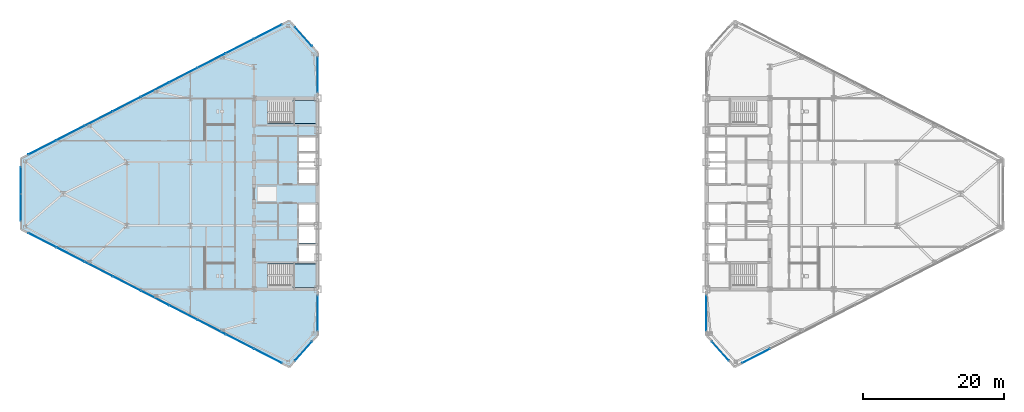
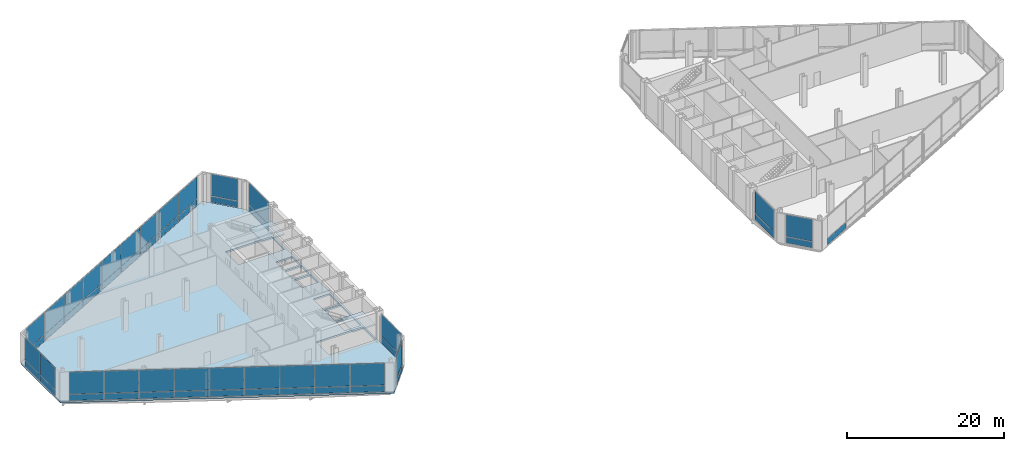
# One storey, part 14 of 22: 53 plates, 3 slabs, 12 elements without a shape of their own.
"""IFC4 building model written with IfcOpenShell, lengths in metres."""

from ifc_helpers import new_model, si_unit, direction, frame, origin, origin_2d, place, context, subcontext, project, spatial, polyline, rectangle, outline, extrude, source, transform, mapped, material, layer, layer_set, type_object, type_shapes, element, aggregate, save


model = new_model("IFC4")

# Units and contexts
model_context = context("Model", 3, precision=1e-05, world=origin(), true_north=direction((0.0, 1.0)))
body_context = subcontext(model_context, "Body", "Model", "MODEL_VIEW")
ifc_project = project(units=[si_unit("LENGTHUNIT", "METRE"), si_unit("AREAUNIT", "SQUARE_METRE"), si_unit("VOLUMEUNIT", "CUBIC_METRE"), si_unit("PLANEANGLEUNIT", "RADIAN"), si_unit("MASSUNIT", "GRAM", prefix="KILO")], contexts=[model_context])

# Site, building, storey
site_placement = place(None, origin())
site = spatial("IfcSite", under=ifc_project, at=site_placement, CompositionType="ELEMENT")
building_placement = place(site_placement, origin())
building = spatial("IfcBuilding", under=site, at=building_placement, Name="Seokmaru Belvedere", CompositionType="ELEMENT")
storey_placement = place(building_placement, frame((0.0, 0.0, 135.60009765625)))
storey = spatial("IfcBuildingStorey", under=building, at=storey_placement, Name="L36", CompositionType="ELEMENT", Elevation=135.60009765625)

# Slab
ifc_material_1 = material(Name="Concrete C50 (50 MPa)", Category="concrete")
ifc_layer_1 = layer(ifc_material_1, 0.260009765625)
ifc_layer_set_1 = layer_set([ifc_layer_1], Name="Concrete C50 (50 MPa)")
slab_type_1 = type_object("IfcSlabType", Name="Refuge and Sky-Gate Heavy Floor Slab 260", PredefinedType="FLOOR", material=ifc_layer_set_1)
slab_1_placement = place(storey_placement, frame((0.0, 0.0, -0.260009765625)))
element("IfcSlab", 1, at=slab_1_placement, inside=storey, type_object=slab_type_1, Name="L36 West Leg Floor Slab", PredefinedType="FLOOR", context=body_context, shape_type="SweptSolid", body=[
    extrude(outline(polyline([(-27.5, -20.0), (-27.5, 20.0), (-31.5, 24.5), (-69.5, 5.0), (-69.5, -5.0), (-31.5, -24.5), (-27.5, -20.0)]), holes=[polyline([(-34.60009765625, -13.25), (-27.75, -13.25), (-27.75, -9.949951171875), (-34.60009765625, -9.949951171875), (-34.60009765625, -13.25)]), polyline([(-34.60009765625, 9.949951171875), (-27.75, 9.949951171875), (-27.75, 13.25), (-34.60009765625, 13.25), (-34.60009765625, 9.949951171875)]), polyline([(-30.14990234375, -9.550048828125), (-27.75, -9.550048828125), (-27.75, -7.25), (-30.14990234375, -7.25), (-30.14990234375, -9.550048828125)]), polyline([(-30.14990234375, -6.949951171875), (-27.75, -6.949951171875), (-27.75, -4.35009765625), (-30.14990234375, -4.35009765625), (-30.14990234375, -6.949951171875)]), polyline([(-30.14990234375, -4.050048828125), (-27.75, -4.050048828125), (-27.75, -1.449951171875), (-30.14990234375, -1.449951171875), (-30.14990234375, -4.050048828125)]), polyline([(-30.14990234375, 1.449951171875), (-27.75, 1.449951171875), (-27.75, 3.449951171875), (-30.14990234375, 3.449951171875), (-30.14990234375, 1.449951171875)]), polyline([(-30.14990234375, 3.75), (-27.75, 3.75), (-27.75, 5.75), (-30.14990234375, 5.75), (-30.14990234375, 3.75)]), polyline([(-30.14990234375, 6.050048828125), (-27.75, 6.050048828125), (-27.75, 8.050048828125), (-30.14990234375, 8.050048828125), (-30.14990234375, 6.050048828125)])]), origin(), (0.0, 0.0, 1.0), 0.260009765625),
])

# Stair, slab
ifc_material_2 = material(Name="Concrete C40 (40 MPa)", Category="concrete")
stair_type = type_object("IfcStairType", Name="Basement Core Dog-Leg Stair 4800", PredefinedType="TWO_STRAIGHT_RUN_STAIR", material=ifc_material_2)
stair_1_placement = place(storey_placement, origin())
stair_1 = element("IfcStair", 2, at=stair_1_placement, inside=storey, type_object=stair_type, Name="L36 Special Escape Stair ST-W1", PredefinedType="TWO_STRAIGHT_RUN_STAIR")
ifc_layer_2 = layer(ifc_material_2, 0.199951171875)
ifc_layer_set_2 = layer_set([ifc_layer_2], Name="Concrete C40 (40 MPa)")
slab_type_2 = type_object("IfcSlabType", Name="Reinforced Concrete Stair Landing Slab 200", PredefinedType="LANDING", material=ifc_layer_set_2)
slab_2_placement = place(storey_placement, frame((0.0, 0.0, 2.199951171875)))
slab_2 = element("IfcSlab", 3, at=slab_2_placement, type_object=slab_type_2, Name="ST-W1 landing 1", PredefinedType="LANDING", context=body_context, shape_type="SweptSolid", body=[
    extrude(outline(polyline([(-31.0400390625, -13.239990234375), (-27.760009765625, -13.239990234375), (-27.760009765625, -9.949951171875), (-31.0400390625, -9.949951171875), (-31.0400390625, -13.239990234375)])), origin(), (0.0, 0.0, 1.0), 0.199951171875),
])
aggregate(stair_1, [slab_2])

stair_2_placement = place(storey_placement, origin())
stair_2 = element("IfcStair", 4, at=stair_2_placement, inside=storey, type_object=stair_type, Name="L36 Special Escape Stair ST-W2", PredefinedType="TWO_STRAIGHT_RUN_STAIR")
slab_3_placement = place(storey_placement, frame((0.0, 0.0, 2.199951171875)))
slab_3 = element("IfcSlab", 5, at=slab_3_placement, type_object=slab_type_2, Name="ST-W2 landing 1", PredefinedType="LANDING", context=body_context, shape_type="SweptSolid", body=[
    extrude(outline(polyline([(-31.0400390625, 9.949951171875), (-27.760009765625, 9.949951171875), (-27.760009765625, 13.239990234375), (-31.0400390625, 13.239990234375), (-31.0400390625, 9.949951171875)])), origin(), (0.0, 0.0, 1.0), 0.199951171875),
])
aggregate(stair_2, [slab_3])

# Curtain wall, plate
ifc_material_3 = material(Name="Bronze Triple Insulating Glass", Category="glass")
ifc_layer_3 = layer(ifc_material_3, 0.195068359375)
ifc_layer_set_3 = layer_set([ifc_layer_3], Name="Bronze Triple Insulating Glass")
curtain_wall_type = type_object("IfcCurtainWallType", Name="Sky-Lobby and Mid-Rise Curtain Wall System CW-4", PredefinedType="NOTDEFINED", material=ifc_layer_set_3)
curtain_wall_1_placement = place(storey_placement, origin())
curtain_wall_1 = element("IfcCurtainWall", 6, at=curtain_wall_1_placement, inside=storey, type_object=curtain_wall_type, Name="L36 Curtain Wall WSP_1", PredefinedType="NOTDEFINED")
ifc_layer_4 = layer(ifc_material_3, 0.048095703125)
ifc_layer_set_4 = layer_set([ifc_layer_4], Name="Bronze Triple Insulating Glass")
plate_type_1 = type_object("IfcPlateType", Name="Insulated Bronze Spandrel Glazing Panel 48", PredefinedType="CURTAIN_PANEL", material=ifc_layer_set_4)
shared_shape_1 = source(origin(), body_context, "Body", "SweptSolid", [
    extrude(rectangle(XDim=4.9599609375, YDim=0.035888671875, at=origin_2d()), origin(), (0.0, 0.0, 1.0), 0.952392578125),
])
plate_1_placement = place(storey_placement, frame((-27.5, -16.8798828125, 0.06494140625), z_axis=(0.0, 0.0, 1.0), x_axis=(0.0, 1.0, 0.0)))
plate_1 = element("IfcPlate", 7, at=plate_1_placement, type_object=plate_type_1, Name="CW:L36:WSP_1 Glazing Panel 1-1", PredefinedType="CURTAIN_PANEL", context=body_context, shape_type="MappedRepresentation", body=[
    mapped(shared_shape_1, transform((0.0, 0.0, 0.0), scale=1.0)),
])

curtain_wall_2_placement = place(storey_placement, origin())
curtain_wall_2 = element("IfcCurtainWall", 8, at=curtain_wall_2_placement, inside=storey, type_object=curtain_wall_type, Name="L36 Curtain Wall WSP_2", PredefinedType="NOTDEFINED")
plate_2_placement = place(storey_placement, frame((-27.5, 16.8798828125, 0.06494140625), z_axis=(0.0, 0.0, 1.0), x_axis=(0.0, 1.0, 0.0)))
plate_2 = element("IfcPlate", 9, at=plate_2_placement, type_object=plate_type_1, Name="CW:L36:WSP_2 Glazing Panel 1-1", PredefinedType="CURTAIN_PANEL", context=body_context, shape_type="MappedRepresentation", body=[
    mapped(shared_shape_1, transform((0.0, 0.0, 0.0), scale=1.0)),
])

curtain_wall_3_placement = place(storey_placement, origin())
curtain_wall_3 = element("IfcCurtainWall", 10, at=curtain_wall_3_placement, inside=storey, type_object=curtain_wall_type, Name="L36 Curtain Wall ESP_1", PredefinedType="NOTDEFINED")
plate_3_placement = place(storey_placement, frame((27.5, -16.8798828125, 0.06494140625), z_axis=(0.0, 0.0, 1.0), x_axis=(0.0, -1.0, 0.0)))
plate_3 = element("IfcPlate", 11, at=plate_3_placement, type_object=plate_type_1, Name="CW:L36:ESP_1 Glazing Panel 1-1", PredefinedType="CURTAIN_PANEL", context=body_context, shape_type="MappedRepresentation", body=[
    mapped(shared_shape_1, transform((0.0, 0.0, 0.0), scale=1.0)),
])

# Plate
ifc_layer_5 = layer(ifc_material_3, 0.035888671875)
ifc_layer_set_5 = layer_set([ifc_layer_5], Name="Bronze Triple Insulating Glass")
plate_type_2 = type_object("IfcPlateType", Name="Bronze Triple Vision Glazing Panel 36", PredefinedType="CURTAIN_PANEL", material=ifc_layer_set_5)
shared_shape_2 = source(origin(), body_context, "Body", "SweptSolid", [
    extrude(rectangle(XDim=4.9599609375, YDim=0.035888671875, at=origin_2d()), origin(), (0.0, 0.0, 1.0), 3.4326171875),
])
plate_4_placement = place(storey_placement, frame((-27.5, -16.8798828125, 1.082275390625), z_axis=(0.0, 0.0, 1.0), x_axis=(0.0, 1.0, 0.0)))
plate_4 = element("IfcPlate", 12, at=plate_4_placement, type_object=plate_type_2, Name="CW:L36:WSP_1 Glazing Panel 1-2", PredefinedType="CURTAIN_PANEL", context=body_context, shape_type="MappedRepresentation", body=[
    mapped(shared_shape_2, transform((0.0, 0.0, 0.0), scale=1.0)),
])

aggregate(curtain_wall_1, [plate_1, plate_4])

plate_5_placement = place(storey_placement, frame((-27.5, 16.8798828125, 1.082275390625), z_axis=(0.0, 0.0, 1.0), x_axis=(0.0, 1.0, 0.0)))
plate_5 = element("IfcPlate", 13, at=plate_5_placement, type_object=plate_type_2, Name="CW:L36:WSP_2 Glazing Panel 1-2", PredefinedType="CURTAIN_PANEL", context=body_context, shape_type="MappedRepresentation", body=[
    mapped(shared_shape_2, transform((0.0, 0.0, 0.0), scale=1.0)),
])

aggregate(curtain_wall_2, [plate_2, plate_5])

plate_6_placement = place(storey_placement, frame((27.5, -16.8798828125, 1.082275390625), z_axis=(0.0, 0.0, 1.0), x_axis=(0.0, -1.0, 0.0)))
plate_6 = element("IfcPlate", 14, at=plate_6_placement, type_object=plate_type_2, Name="CW:L36:ESP_1 Glazing Panel 1-2", PredefinedType="CURTAIN_PANEL", context=body_context, shape_type="MappedRepresentation", body=[
    mapped(shared_shape_2, transform((0.0, 0.0, 0.0), scale=1.0)),
])

aggregate(curtain_wall_3, [plate_3, plate_6])

# Curtain wall, plate
curtain_wall_4_placement = place(storey_placement, origin())
curtain_wall_4 = element("IfcCurtainWall", 15, at=curtain_wall_4_placement, inside=storey, type_object=curtain_wall_type, Name="L36 Curtain Wall WF2", PredefinedType="NOTDEFINED")
shared_shape_3 = source(origin(), body_context, "Body", "SweptSolid", [
    extrude(rectangle(XDim=3.580810546875, YDim=0.035888671875, at=origin_2d()), origin(), (0.0, 0.0, 1.0), 0.952392578125),
])
plate_7_placement = place(storey_placement, frame((-29.5, 22.25, 0.06494140625), z_axis=(0.0, 0.0, 1.0), x_axis=(-0.664363325694, 0.747409774804, 0.0)))
plate_7 = element("IfcPlate", 16, at=plate_7_placement, type_object=plate_type_1, Name="CW:L36:WF2 Glazing Panel 1-1", PredefinedType="CURTAIN_PANEL", context=body_context, shape_type="MappedRepresentation", body=[
    mapped(shared_shape_3, transform((0.0, 0.0, 0.0), scale=1.0)),
])

curtain_wall_5_placement = place(storey_placement, origin())
curtain_wall_5 = element("IfcCurtainWall", 17, at=curtain_wall_5_placement, inside=storey, type_object=curtain_wall_type, Name="L36 Curtain Wall WF6", PredefinedType="NOTDEFINED")
plate_8_placement = place(storey_placement, frame((-29.5, -22.25, 0.06494140625), z_axis=(0.0, 0.0, 1.0), x_axis=(0.664363325694, 0.747409774804, 0.0)))
plate_8 = element("IfcPlate", 18, at=plate_8_placement, type_object=plate_type_1, Name="CW:L36:WF6 Glazing Panel 1-1", PredefinedType="CURTAIN_PANEL", context=body_context, shape_type="MappedRepresentation", body=[
    mapped(shared_shape_3, transform((0.0, 0.0, 0.0), scale=1.0)),
])

curtain_wall_6_placement = place(storey_placement, origin())
curtain_wall_6 = element("IfcCurtainWall", 19, at=curtain_wall_6_placement, inside=storey, type_object=curtain_wall_type, Name="L36 Curtain Wall EF6", PredefinedType="NOTDEFINED")
plate_9_placement = place(storey_placement, frame((29.5, -22.25, 0.06494140625), z_axis=(0.0, 0.0, 1.0), x_axis=(0.664363325694, -0.747409774804, 0.0)))
plate_9 = element("IfcPlate", 20, at=plate_9_placement, type_object=plate_type_1, Name="CW:L36:EF6 Glazing Panel 1-1", PredefinedType="CURTAIN_PANEL", context=body_context, shape_type="MappedRepresentation", body=[
    mapped(shared_shape_3, transform((0.0, 0.0, 0.0), scale=1.0)),
])

# Plate
shared_shape_4 = source(origin(), body_context, "Body", "SweptSolid", [
    extrude(rectangle(XDim=3.580810546875, YDim=0.035888671875, at=origin_2d()), origin(), (0.0, 0.0, 1.0), 3.4326171875),
])
plate_10_placement = place(storey_placement, frame((-29.5, 22.25, 1.082275390625), z_axis=(0.0, 0.0, 1.0), x_axis=(-0.664363325694, 0.747409774804, 0.0)))
plate_10 = element("IfcPlate", 21, at=plate_10_placement, type_object=plate_type_2, Name="CW:L36:WF2 Glazing Panel 1-2", PredefinedType="CURTAIN_PANEL", context=body_context, shape_type="MappedRepresentation", body=[
    mapped(shared_shape_4, transform((0.0, 0.0, 0.0), scale=1.0)),
])

aggregate(curtain_wall_4, [plate_7, plate_10])

plate_11_placement = place(storey_placement, frame((-29.5, -22.25, 1.082275390625), z_axis=(0.0, 0.0, 1.0), x_axis=(0.664363325694, 0.747409774804, 0.0)))
plate_11 = element("IfcPlate", 22, at=plate_11_placement, type_object=plate_type_2, Name="CW:L36:WF6 Glazing Panel 1-2", PredefinedType="CURTAIN_PANEL", context=body_context, shape_type="MappedRepresentation", body=[
    mapped(shared_shape_4, transform((0.0, 0.0, 0.0), scale=1.0)),
])

aggregate(curtain_wall_5, [plate_8, plate_11])

plate_12_placement = place(storey_placement, frame((29.5, -22.25, 1.082275390625), z_axis=(0.0, 0.0, 1.0), x_axis=(0.664363325694, -0.747409774804, 0.0)))
plate_12 = element("IfcPlate", 23, at=plate_12_placement, type_object=plate_type_2, Name="CW:L36:EF6 Glazing Panel 1-2", PredefinedType="CURTAIN_PANEL", context=body_context, shape_type="MappedRepresentation", body=[
    mapped(shared_shape_4, transform((0.0, 0.0, 0.0), scale=1.0)),
])

aggregate(curtain_wall_6, [plate_9, plate_12])

# Curtain wall, plates
curtain_wall_7_placement = place(storey_placement, origin())
curtain_wall_7 = element("IfcCurtainWall", 24, at=curtain_wall_7_placement, inside=storey, type_object=curtain_wall_type, Name="L36 Curtain Wall WF3", PredefinedType="NOTDEFINED")
shared_shape_5 = source(origin(), body_context, "Body", "SweptSolid", [
    extrude(rectangle(XDim=4.38525390625, YDim=0.035888671875, at=origin_2d()), origin(), (0.0, 0.0, 1.0), 0.952392578125),
])
plate_13_placement = place(storey_placement, frame((-34.5361328125, 22.94189453125, 0.06494140625), z_axis=(0.0, 0.0, 1.0), x_axis=(-0.889695432562, -0.456554528263, 0.0)))
plate_13 = element("IfcPlate", 25, at=plate_13_placement, type_object=plate_type_1, Name="CW:L36:WF3 Glazing Panel 1-1", PredefinedType="CURTAIN_PANEL", context=body_context, shape_type="MappedRepresentation", body=[
    mapped(shared_shape_5, transform((0.0, 0.0, 0.0), scale=1.0)),
])
plate_14_placement = place(storey_placement, frame((-66.4638671875, 6.55810546875, 0.06494140625), z_axis=(0.0, 0.0, 1.0), x_axis=(-0.889695432562, -0.456554528263, 0.0)))
plate_14 = element("IfcPlate", 26, at=plate_14_placement, type_object=plate_type_1, Name="CW:L36:WF3 Glazing Panel 9-1", PredefinedType="CURTAIN_PANEL", context=body_context, shape_type="MappedRepresentation", body=[
    mapped(shared_shape_5, transform((0.0, 0.0, 0.0), scale=1.0)),
])

curtain_wall_8_placement = place(storey_placement, origin())
curtain_wall_8 = element("IfcCurtainWall", 27, at=curtain_wall_8_placement, inside=storey, type_object=curtain_wall_type, Name="L36 Curtain Wall WF5", PredefinedType="NOTDEFINED")
plate_15_placement = place(storey_placement, frame((-66.4638671875, -6.55810546875, 0.06494140625), z_axis=(0.0, 0.0, 1.0), x_axis=(0.889695432562, -0.456554528263, 0.0)))
plate_15 = element("IfcPlate", 28, at=plate_15_placement, type_object=plate_type_1, Name="CW:L36:WF5 Glazing Panel 1-1", PredefinedType="CURTAIN_PANEL", context=body_context, shape_type="MappedRepresentation", body=[
    mapped(shared_shape_5, transform((0.0, 0.0, 0.0), scale=1.0)),
])
plate_16_placement = place(storey_placement, frame((-34.5361328125, -22.94189453125, 0.06494140625), z_axis=(0.0, 0.0, 1.0), x_axis=(0.889695432562, -0.456554528263, 0.0)))
plate_16 = element("IfcPlate", 29, at=plate_16_placement, type_object=plate_type_1, Name="CW:L36:WF5 Glazing Panel 9-1", PredefinedType="CURTAIN_PANEL", context=body_context, shape_type="MappedRepresentation", body=[
    mapped(shared_shape_5, transform((0.0, 0.0, 0.0), scale=1.0)),
])

# Curtain wall, plate
curtain_wall_9_placement = place(storey_placement, origin())
curtain_wall_9 = element("IfcCurtainWall", 30, at=curtain_wall_9_placement, inside=storey, type_object=curtain_wall_type, Name="L36 Curtain Wall EF1", PredefinedType="NOTDEFINED")
plate_17_placement = place(storey_placement, frame((34.5361328125, -22.94189453125, 0.06494140625), z_axis=(0.0, 0.0, 1.0), x_axis=(0.889695432562, 0.456554528263, 0.0)))
plate_17 = element("IfcPlate", 31, at=plate_17_placement, type_object=plate_type_1, Name="CW:L36:EF1 Glazing Panel 1-1", PredefinedType="CURTAIN_PANEL", context=body_context, shape_type="MappedRepresentation", body=[
    mapped(shared_shape_5, transform((0.0, 0.0, 0.0), scale=1.0)),
])
aggregate(curtain_wall_9, [plate_17])

# Plate
shared_shape_6 = source(origin(), body_context, "Body", "SweptSolid", [
    extrude(rectangle(XDim=4.38525390625, YDim=0.035888671875, at=origin_2d()), origin(), (0.0, 0.0, 1.0), 3.4326171875),
])
plate_18_placement = place(storey_placement, frame((-34.5361328125, 22.94189453125, 1.082275390625), z_axis=(0.0, 0.0, 1.0), x_axis=(-0.889695432562, -0.456554528263, 0.0)))
plate_18 = element("IfcPlate", 32, at=plate_18_placement, type_object=plate_type_2, Name="CW:L36:WF3 Glazing Panel 1-2", PredefinedType="CURTAIN_PANEL", context=body_context, shape_type="MappedRepresentation", body=[
    mapped(shared_shape_6, transform((0.0, 0.0, 0.0), scale=1.0)),
])

plate_19_placement = place(storey_placement, frame((-66.4638671875, 6.55810546875, 1.082275390625), z_axis=(0.0, 0.0, 1.0), x_axis=(-0.889695432562, -0.456554528263, 0.0)))
plate_19 = element("IfcPlate", 33, at=plate_19_placement, type_object=plate_type_2, Name="CW:L36:WF3 Glazing Panel 9-2", PredefinedType="CURTAIN_PANEL", context=body_context, shape_type="MappedRepresentation", body=[
    mapped(shared_shape_6, transform((0.0, 0.0, 0.0), scale=1.0)),
])

plate_20_placement = place(storey_placement, frame((-66.4638671875, -6.55810546875, 1.082275390625), z_axis=(0.0, 0.0, 1.0), x_axis=(0.889695432562, -0.456554528263, 0.0)))
plate_20 = element("IfcPlate", 34, at=plate_20_placement, type_object=plate_type_2, Name="CW:L36:WF5 Glazing Panel 1-2", PredefinedType="CURTAIN_PANEL", context=body_context, shape_type="MappedRepresentation", body=[
    mapped(shared_shape_6, transform((0.0, 0.0, 0.0), scale=1.0)),
])

plate_21_placement = place(storey_placement, frame((-34.5361328125, -22.94189453125, 1.082275390625), z_axis=(0.0, 0.0, 1.0), x_axis=(0.889695432562, -0.456554528263, 0.0)))
plate_21 = element("IfcPlate", 35, at=plate_21_placement, type_object=plate_type_2, Name="CW:L36:WF5 Glazing Panel 9-2", PredefinedType="CURTAIN_PANEL", context=body_context, shape_type="MappedRepresentation", body=[
    mapped(shared_shape_6, transform((0.0, 0.0, 0.0), scale=1.0)),
])

shared_shape_7 = source(origin(), body_context, "Body", "SweptSolid", [
    extrude(rectangle(XDim=4.420166015625, YDim=0.035888671875, at=origin_2d()), origin(), (0.0, 0.0, 1.0), 0.952392578125),
])
plate_22_placement = place(storey_placement, frame((-38.515380859375, 20.89990234375, 0.06494140625), z_axis=(0.0, 0.0, 1.0), x_axis=(-0.889695432562, -0.456554528263, 0.0)))
plate_22 = element("IfcPlate", 36, at=plate_22_placement, type_object=plate_type_1, Name="CW:L36:WF3 Glazing Panel 2-1", PredefinedType="CURTAIN_PANEL", context=body_context, shape_type="MappedRepresentation", body=[
    mapped(shared_shape_7, transform((0.0, 0.0, 0.0), scale=1.0)),
])

plate_23_placement = place(storey_placement, frame((-42.51025390625, 18.85009765625, 0.06494140625), z_axis=(0.0, 0.0, 1.0), x_axis=(-0.889695432562, -0.456554528263, 0.0)))
plate_23 = element("IfcPlate", 37, at=plate_23_placement, type_object=plate_type_1, Name="CW:L36:WF3 Glazing Panel 3-1", PredefinedType="CURTAIN_PANEL", context=body_context, shape_type="MappedRepresentation", body=[
    mapped(shared_shape_7, transform((0.0, 0.0, 0.0), scale=1.0)),
])

plate_24_placement = place(storey_placement, frame((-46.505126953125, 16.800048828125, 0.06494140625), z_axis=(0.0, 0.0, 1.0), x_axis=(-0.889695432562, -0.456554528263, 0.0)))
plate_24 = element("IfcPlate", 38, at=plate_24_placement, type_object=plate_type_1, Name="CW:L36:WF3 Glazing Panel 4-1", PredefinedType="CURTAIN_PANEL", context=body_context, shape_type="MappedRepresentation", body=[
    mapped(shared_shape_7, transform((0.0, 0.0, 0.0), scale=1.0)),
])

plate_25_placement = place(storey_placement, frame((-50.5, 14.75, 0.06494140625), z_axis=(0.0, 0.0, 1.0), x_axis=(-0.889695432562, -0.456554528263, 0.0)))
plate_25 = element("IfcPlate", 39, at=plate_25_placement, type_object=plate_type_1, Name="CW:L36:WF3 Glazing Panel 5-1", PredefinedType="CURTAIN_PANEL", context=body_context, shape_type="MappedRepresentation", body=[
    mapped(shared_shape_7, transform((0.0, 0.0, 0.0), scale=1.0)),
])

plate_26_placement = place(storey_placement, frame((-54.494873046875, 12.699951171875, 0.06494140625), z_axis=(0.0, 0.0, 1.0), x_axis=(-0.889695432562, -0.456554528263, 0.0)))
plate_26 = element("IfcPlate", 40, at=plate_26_placement, type_object=plate_type_1, Name="CW:L36:WF3 Glazing Panel 6-1", PredefinedType="CURTAIN_PANEL", context=body_context, shape_type="MappedRepresentation", body=[
    mapped(shared_shape_7, transform((0.0, 0.0, 0.0), scale=1.0)),
])

plate_27_placement = place(storey_placement, frame((-58.48974609375, 10.64990234375, 0.06494140625), z_axis=(0.0, 0.0, 1.0), x_axis=(-0.889695432562, -0.456554528263, 0.0)))
plate_27 = element("IfcPlate", 41, at=plate_27_placement, type_object=plate_type_1, Name="CW:L36:WF3 Glazing Panel 7-1", PredefinedType="CURTAIN_PANEL", context=body_context, shape_type="MappedRepresentation", body=[
    mapped(shared_shape_7, transform((0.0, 0.0, 0.0), scale=1.0)),
])

plate_28_placement = place(storey_placement, frame((-62.484619140625, 8.60009765625, 0.06494140625), z_axis=(0.0, 0.0, 1.0), x_axis=(-0.889695432562, -0.456554528263, 0.0)))
plate_28 = element("IfcPlate", 42, at=plate_28_placement, type_object=plate_type_1, Name="CW:L36:WF3 Glazing Panel 8-1", PredefinedType="CURTAIN_PANEL", context=body_context, shape_type="MappedRepresentation", body=[
    mapped(shared_shape_7, transform((0.0, 0.0, 0.0), scale=1.0)),
])

plate_29_placement = place(storey_placement, frame((-62.484619140625, -8.60009765625, 0.06494140625), z_axis=(0.0, 0.0, 1.0), x_axis=(0.889695432562, -0.456554528263, 0.0)))
plate_29 = element("IfcPlate", 43, at=plate_29_placement, type_object=plate_type_1, Name="CW:L36:WF5 Glazing Panel 2-1", PredefinedType="CURTAIN_PANEL", context=body_context, shape_type="MappedRepresentation", body=[
    mapped(shared_shape_7, transform((0.0, 0.0, 0.0), scale=1.0)),
])

plate_30_placement = place(storey_placement, frame((-58.48974609375, -10.64990234375, 0.06494140625), z_axis=(0.0, 0.0, 1.0), x_axis=(0.889695432562, -0.456554528263, 0.0)))
plate_30 = element("IfcPlate", 44, at=plate_30_placement, type_object=plate_type_1, Name="CW:L36:WF5 Glazing Panel 3-1", PredefinedType="CURTAIN_PANEL", context=body_context, shape_type="MappedRepresentation", body=[
    mapped(shared_shape_7, transform((0.0, 0.0, 0.0), scale=1.0)),
])

plate_31_placement = place(storey_placement, frame((-54.494873046875, -12.699951171875, 0.06494140625), z_axis=(0.0, 0.0, 1.0), x_axis=(0.889695432562, -0.456554528263, 0.0)))
plate_31 = element("IfcPlate", 45, at=plate_31_placement, type_object=plate_type_1, Name="CW:L36:WF5 Glazing Panel 4-1", PredefinedType="CURTAIN_PANEL", context=body_context, shape_type="MappedRepresentation", body=[
    mapped(shared_shape_7, transform((0.0, 0.0, 0.0), scale=1.0)),
])

plate_32_placement = place(storey_placement, frame((-50.5, -14.75, 0.06494140625), z_axis=(0.0, 0.0, 1.0), x_axis=(0.889695432562, -0.456554528263, 0.0)))
plate_32 = element("IfcPlate", 46, at=plate_32_placement, type_object=plate_type_1, Name="CW:L36:WF5 Glazing Panel 5-1", PredefinedType="CURTAIN_PANEL", context=body_context, shape_type="MappedRepresentation", body=[
    mapped(shared_shape_7, transform((0.0, 0.0, 0.0), scale=1.0)),
])

plate_33_placement = place(storey_placement, frame((-46.505126953125, -16.800048828125, 0.06494140625), z_axis=(0.0, 0.0, 1.0), x_axis=(0.889695432562, -0.456554528263, 0.0)))
plate_33 = element("IfcPlate", 47, at=plate_33_placement, type_object=plate_type_1, Name="CW:L36:WF5 Glazing Panel 6-1", PredefinedType="CURTAIN_PANEL", context=body_context, shape_type="MappedRepresentation", body=[
    mapped(shared_shape_7, transform((0.0, 0.0, 0.0), scale=1.0)),
])

plate_34_placement = place(storey_placement, frame((-42.51025390625, -18.85009765625, 0.06494140625), z_axis=(0.0, 0.0, 1.0), x_axis=(0.889695432562, -0.456554528263, 0.0)))
plate_34 = element("IfcPlate", 48, at=plate_34_placement, type_object=plate_type_1, Name="CW:L36:WF5 Glazing Panel 7-1", PredefinedType="CURTAIN_PANEL", context=body_context, shape_type="MappedRepresentation", body=[
    mapped(shared_shape_7, transform((0.0, 0.0, 0.0), scale=1.0)),
])

plate_35_placement = place(storey_placement, frame((-38.515380859375, -20.89990234375, 0.06494140625), z_axis=(0.0, 0.0, 1.0), x_axis=(0.889695432562, -0.456554528263, 0.0)))
plate_35 = element("IfcPlate", 49, at=plate_35_placement, type_object=plate_type_1, Name="CW:L36:WF5 Glazing Panel 8-1", PredefinedType="CURTAIN_PANEL", context=body_context, shape_type="MappedRepresentation", body=[
    mapped(shared_shape_7, transform((0.0, 0.0, 0.0), scale=1.0)),
])

shared_shape_8 = source(origin(), body_context, "Body", "SweptSolid", [
    extrude(rectangle(XDim=4.420166015625, YDim=0.035888671875, at=origin_2d()), origin(), (0.0, 0.0, 1.0), 3.4326171875),
])
plate_36_placement = place(storey_placement, frame((-38.515380859375, 20.89990234375, 1.082275390625), z_axis=(0.0, 0.0, 1.0), x_axis=(-0.889695432562, -0.456554528263, 0.0)))
plate_36 = element("IfcPlate", 50, at=plate_36_placement, type_object=plate_type_2, Name="CW:L36:WF3 Glazing Panel 2-2", PredefinedType="CURTAIN_PANEL", context=body_context, shape_type="MappedRepresentation", body=[
    mapped(shared_shape_8, transform((0.0, 0.0, 0.0), scale=1.0)),
])

plate_37_placement = place(storey_placement, frame((-42.51025390625, 18.85009765625, 1.082275390625), z_axis=(0.0, 0.0, 1.0), x_axis=(-0.889695432562, -0.456554528263, 0.0)))
plate_37 = element("IfcPlate", 51, at=plate_37_placement, type_object=plate_type_2, Name="CW:L36:WF3 Glazing Panel 3-2", PredefinedType="CURTAIN_PANEL", context=body_context, shape_type="MappedRepresentation", body=[
    mapped(shared_shape_8, transform((0.0, 0.0, 0.0), scale=1.0)),
])

plate_38_placement = place(storey_placement, frame((-46.505126953125, 16.800048828125, 1.082275390625), z_axis=(0.0, 0.0, 1.0), x_axis=(-0.889695432562, -0.456554528263, 0.0)))
plate_38 = element("IfcPlate", 52, at=plate_38_placement, type_object=plate_type_2, Name="CW:L36:WF3 Glazing Panel 4-2", PredefinedType="CURTAIN_PANEL", context=body_context, shape_type="MappedRepresentation", body=[
    mapped(shared_shape_8, transform((0.0, 0.0, 0.0), scale=1.0)),
])

plate_39_placement = place(storey_placement, frame((-50.5, 14.75, 1.082275390625), z_axis=(0.0, 0.0, 1.0), x_axis=(-0.889695432562, -0.456554528263, 0.0)))
plate_39 = element("IfcPlate", 53, at=plate_39_placement, type_object=plate_type_2, Name="CW:L36:WF3 Glazing Panel 5-2", PredefinedType="CURTAIN_PANEL", context=body_context, shape_type="MappedRepresentation", body=[
    mapped(shared_shape_8, transform((0.0, 0.0, 0.0), scale=1.0)),
])

plate_40_placement = place(storey_placement, frame((-54.494873046875, 12.699951171875, 1.082275390625), z_axis=(0.0, 0.0, 1.0), x_axis=(-0.889695432562, -0.456554528263, 0.0)))
plate_40 = element("IfcPlate", 54, at=plate_40_placement, type_object=plate_type_2, Name="CW:L36:WF3 Glazing Panel 6-2", PredefinedType="CURTAIN_PANEL", context=body_context, shape_type="MappedRepresentation", body=[
    mapped(shared_shape_8, transform((0.0, 0.0, 0.0), scale=1.0)),
])

plate_41_placement = place(storey_placement, frame((-58.48974609375, 10.64990234375, 1.082275390625), z_axis=(0.0, 0.0, 1.0), x_axis=(-0.889695432562, -0.456554528263, 0.0)))
plate_41 = element("IfcPlate", 55, at=plate_41_placement, type_object=plate_type_2, Name="CW:L36:WF3 Glazing Panel 7-2", PredefinedType="CURTAIN_PANEL", context=body_context, shape_type="MappedRepresentation", body=[
    mapped(shared_shape_8, transform((0.0, 0.0, 0.0), scale=1.0)),
])

plate_42_placement = place(storey_placement, frame((-62.484619140625, 8.60009765625, 1.082275390625), z_axis=(0.0, 0.0, 1.0), x_axis=(-0.889695432562, -0.456554528263, 0.0)))
plate_42 = element("IfcPlate", 56, at=plate_42_placement, type_object=plate_type_2, Name="CW:L36:WF3 Glazing Panel 8-2", PredefinedType="CURTAIN_PANEL", context=body_context, shape_type="MappedRepresentation", body=[
    mapped(shared_shape_8, transform((0.0, 0.0, 0.0), scale=1.0)),
])

aggregate(curtain_wall_7, [plate_13, plate_18, plate_22, plate_36, plate_23, plate_37, plate_24, plate_38, plate_25, plate_39, plate_26, plate_40, plate_27, plate_41, plate_28, plate_42, plate_14, plate_19])

plate_43_placement = place(storey_placement, frame((-62.484619140625, -8.60009765625, 1.082275390625), z_axis=(0.0, 0.0, 1.0), x_axis=(0.889695432562, -0.456554528263, 0.0)))
plate_43 = element("IfcPlate", 57, at=plate_43_placement, type_object=plate_type_2, Name="CW:L36:WF5 Glazing Panel 2-2", PredefinedType="CURTAIN_PANEL", context=body_context, shape_type="MappedRepresentation", body=[
    mapped(shared_shape_8, transform((0.0, 0.0, 0.0), scale=1.0)),
])

plate_44_placement = place(storey_placement, frame((-58.48974609375, -10.64990234375, 1.082275390625), z_axis=(0.0, 0.0, 1.0), x_axis=(0.889695432562, -0.456554528263, 0.0)))
plate_44 = element("IfcPlate", 58, at=plate_44_placement, type_object=plate_type_2, Name="CW:L36:WF5 Glazing Panel 3-2", PredefinedType="CURTAIN_PANEL", context=body_context, shape_type="MappedRepresentation", body=[
    mapped(shared_shape_8, transform((0.0, 0.0, 0.0), scale=1.0)),
])

plate_45_placement = place(storey_placement, frame((-54.494873046875, -12.699951171875, 1.082275390625), z_axis=(0.0, 0.0, 1.0), x_axis=(0.889695432562, -0.456554528263, 0.0)))
plate_45 = element("IfcPlate", 59, at=plate_45_placement, type_object=plate_type_2, Name="CW:L36:WF5 Glazing Panel 4-2", PredefinedType="CURTAIN_PANEL", context=body_context, shape_type="MappedRepresentation", body=[
    mapped(shared_shape_8, transform((0.0, 0.0, 0.0), scale=1.0)),
])

plate_46_placement = place(storey_placement, frame((-50.5, -14.75, 1.082275390625), z_axis=(0.0, 0.0, 1.0), x_axis=(0.889695432562, -0.456554528263, 0.0)))
plate_46 = element("IfcPlate", 60, at=plate_46_placement, type_object=plate_type_2, Name="CW:L36:WF5 Glazing Panel 5-2", PredefinedType="CURTAIN_PANEL", context=body_context, shape_type="MappedRepresentation", body=[
    mapped(shared_shape_8, transform((0.0, 0.0, 0.0), scale=1.0)),
])

plate_47_placement = place(storey_placement, frame((-46.505126953125, -16.800048828125, 1.082275390625), z_axis=(0.0, 0.0, 1.0), x_axis=(0.889695432562, -0.456554528263, 0.0)))
plate_47 = element("IfcPlate", 61, at=plate_47_placement, type_object=plate_type_2, Name="CW:L36:WF5 Glazing Panel 6-2", PredefinedType="CURTAIN_PANEL", context=body_context, shape_type="MappedRepresentation", body=[
    mapped(shared_shape_8, transform((0.0, 0.0, 0.0), scale=1.0)),
])

plate_48_placement = place(storey_placement, frame((-42.51025390625, -18.85009765625, 1.082275390625), z_axis=(0.0, 0.0, 1.0), x_axis=(0.889695432562, -0.456554528263, 0.0)))
plate_48 = element("IfcPlate", 62, at=plate_48_placement, type_object=plate_type_2, Name="CW:L36:WF5 Glazing Panel 7-2", PredefinedType="CURTAIN_PANEL", context=body_context, shape_type="MappedRepresentation", body=[
    mapped(shared_shape_8, transform((0.0, 0.0, 0.0), scale=1.0)),
])

plate_49_placement = place(storey_placement, frame((-38.515380859375, -20.89990234375, 1.082275390625), z_axis=(0.0, 0.0, 1.0), x_axis=(0.889695432562, -0.456554528263, 0.0)))
plate_49 = element("IfcPlate", 63, at=plate_49_placement, type_object=plate_type_2, Name="CW:L36:WF5 Glazing Panel 8-2", PredefinedType="CURTAIN_PANEL", context=body_context, shape_type="MappedRepresentation", body=[
    mapped(shared_shape_8, transform((0.0, 0.0, 0.0), scale=1.0)),
])

aggregate(curtain_wall_8, [plate_15, plate_20, plate_29, plate_43, plate_30, plate_44, plate_31, plate_45, plate_32, plate_46, plate_33, plate_47, plate_34, plate_48, plate_35, plate_49, plate_16, plate_21])

# Curtain wall, plates
curtain_wall_10_placement = place(storey_placement, origin())
curtain_wall_10 = element("IfcCurtainWall", 64, at=curtain_wall_10_placement, inside=storey, type_object=curtain_wall_type, Name="L36 Curtain Wall WF4", PredefinedType="NOTDEFINED")
shared_shape_9 = source(origin(), body_context, "Body", "SweptSolid", [
    extrude(rectangle(XDim=3.7451171875, YDim=0.035888671875, at=origin_2d()), origin(), (0.0, 0.0, 1.0), 0.952392578125),
])
type_shapes(plate_type_1, [shared_shape_1, shared_shape_3, shared_shape_5, shared_shape_7, shared_shape_9])
plate_50_placement = place(storey_placement, frame((-69.5, 1.907470703125, 0.06494140625), z_axis=(0.0, 0.0, 1.0), x_axis=(0.0, -1.0, 0.0)))
plate_50 = element("IfcPlate", 65, at=plate_50_placement, type_object=plate_type_1, Name="CW:L36:WF4 Glazing Panel 1-1", PredefinedType="CURTAIN_PANEL", context=body_context, shape_type="MappedRepresentation", body=[
    mapped(shared_shape_9, transform((0.0, 0.0, 0.0), scale=1.0)),
])
plate_51_placement = place(storey_placement, frame((-69.5, -1.907470703125, 0.06494140625), z_axis=(0.0, 0.0, 1.0), x_axis=(0.0, -1.0, 0.0)))
plate_51 = element("IfcPlate", 66, at=plate_51_placement, type_object=plate_type_1, Name="CW:L36:WF4 Glazing Panel 2-1", PredefinedType="CURTAIN_PANEL", context=body_context, shape_type="MappedRepresentation", body=[
    mapped(shared_shape_9, transform((0.0, 0.0, 0.0), scale=1.0)),
])
shared_shape_10 = source(origin(), body_context, "Body", "SweptSolid", [
    extrude(rectangle(XDim=3.7451171875, YDim=0.035888671875, at=origin_2d()), origin(), (0.0, 0.0, 1.0), 3.4326171875),
])
type_shapes(plate_type_2, [shared_shape_2, shared_shape_4, shared_shape_6, shared_shape_8, shared_shape_10])
plate_52_placement = place(storey_placement, frame((-69.5, 1.907470703125, 1.082275390625), z_axis=(0.0, 0.0, 1.0), x_axis=(0.0, -1.0, 0.0)))
plate_52 = element("IfcPlate", 67, at=plate_52_placement, type_object=plate_type_2, Name="CW:L36:WF4 Glazing Panel 1-2", PredefinedType="CURTAIN_PANEL", context=body_context, shape_type="MappedRepresentation", body=[
    mapped(shared_shape_10, transform((0.0, 0.0, 0.0), scale=1.0)),
])
plate_53_placement = place(storey_placement, frame((-69.5, -1.907470703125, 1.082275390625), z_axis=(0.0, 0.0, 1.0), x_axis=(0.0, -1.0, 0.0)))
plate_53 = element("IfcPlate", 68, at=plate_53_placement, type_object=plate_type_2, Name="CW:L36:WF4 Glazing Panel 2-2", PredefinedType="CURTAIN_PANEL", context=body_context, shape_type="MappedRepresentation", body=[
    mapped(shared_shape_10, transform((0.0, 0.0, 0.0), scale=1.0)),
])
aggregate(curtain_wall_10, [plate_50, plate_52, plate_51, plate_53])

save(model, "model.ifc")
